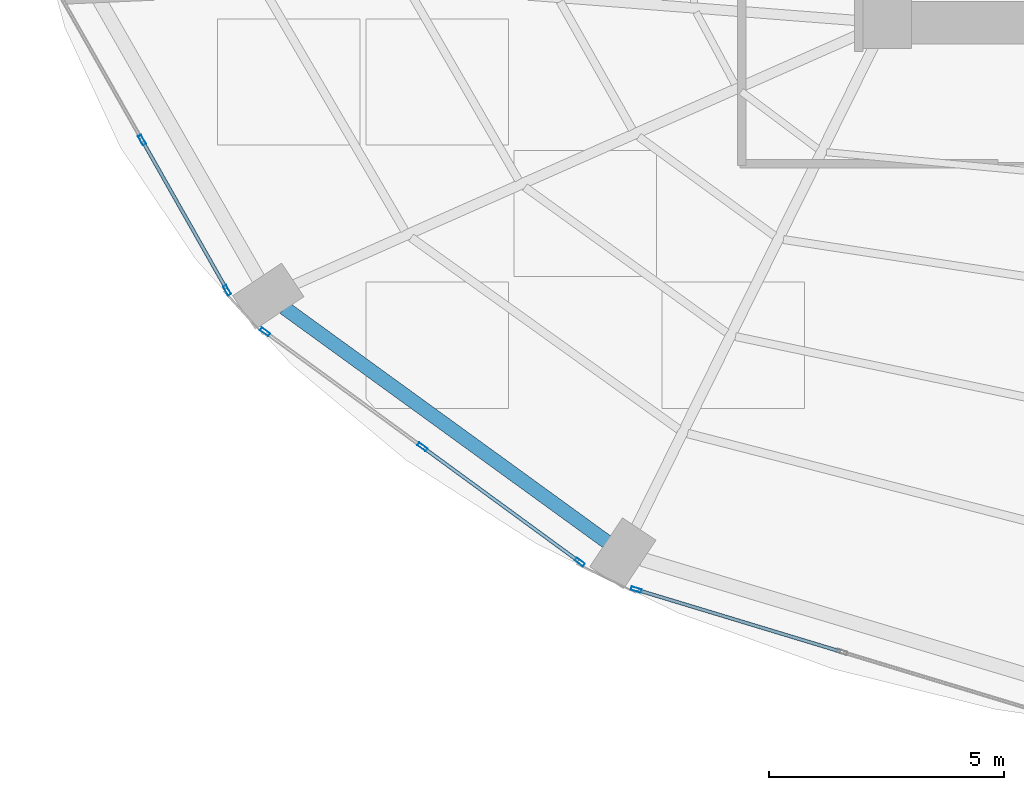
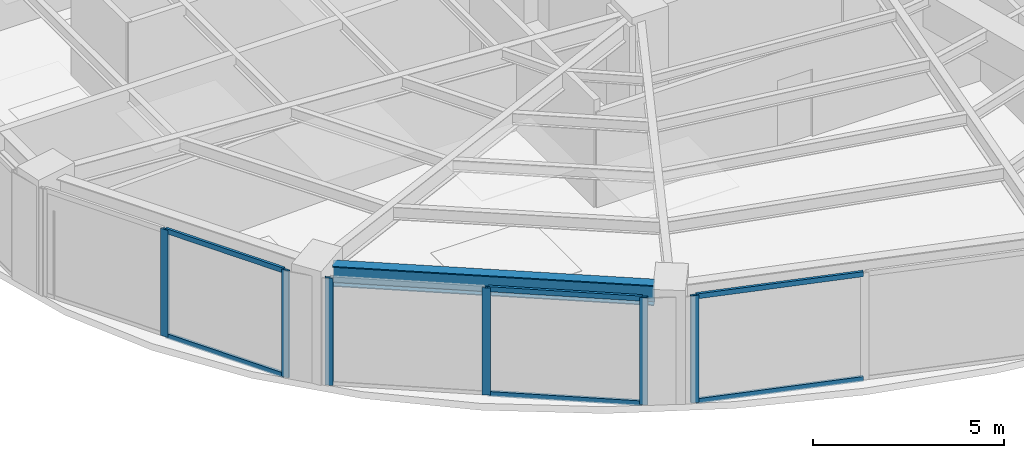
# One storey, part 2 of 25: 12 members, 1 beam, 3 elements without a shape of their own.
"""IFC4 building model written with IfcOpenShell, lengths in metres."""

from ifc_helpers import new_model, si_unit, direction, frame, origin, origin_2d, place, context, subcontext, project, spatial, hollow_rectangle, i_section, extrude, material, layer, layer_set, material_profile, profile_set, type_object, element, aggregate, save


model = new_model("IFC4")

# Units and contexts
model_context = context("Model", 3, precision=1e-05, world=origin(), true_north=direction((0.0, 1.0)))
body_context = subcontext(model_context, "Body", "Model", "MODEL_VIEW")
ifc_project = project(units=[si_unit("LENGTHUNIT", "METRE"), si_unit("AREAUNIT", "SQUARE_METRE"), si_unit("VOLUMEUNIT", "CUBIC_METRE"), si_unit("PLANEANGLEUNIT", "RADIAN"), si_unit("MASSUNIT", "GRAM", prefix="KILO")], contexts=[model_context])

# Site, building, storey
site_placement = place(None, origin())
site = spatial("IfcSite", under=ifc_project, at=site_placement, CompositionType="ELEMENT")
building_placement = place(site_placement, origin())
building = spatial("IfcBuilding", under=site, at=building_placement, Name="Lazwardi Medical Tower", CompositionType="ELEMENT")
storey_placement = place(building_placement, frame((0.0, 0.0, 43.43994140625)))
storey = spatial("IfcBuildingStorey", under=building, at=storey_placement, Name="L10", CompositionType="ELEMENT", Elevation=43.43994140625)

# Beam
ifc_material_1 = material(Name="Steel S355", Category="steel")
ifc_material_profile_1 = material_profile(ifc_material_1, i_section(OverallWidth=0.300048828125, OverallDepth=0.64990234375, WebThickness=0.01611328125, FlangeThickness=0.031005859375, at=origin_2d()), Name="HEB 650")
ifc_profile_set_1 = profile_set([ifc_material_profile_1], Name="Steel S355")
beam_type = type_object("IfcBeamType", Name="BM-RB-Z1", PredefinedType="BEAM", material=ifc_profile_set_1)
beam_placement = place(storey_placement, frame((13.6201171875, 14.339111328125, 3.10302734375), z_axis=(0.809407079515, -0.587247971159, 0.0), x_axis=(0.587247971159, 0.809407079515, 0.0)))
element("IfcBeam", 1, at=beam_placement, inside=storey, type_object=beam_type, Name="Ring beam RB-02 B14 L10", PredefinedType="BEAM", context=body_context, shape_type="SweptSolid", body=[
    extrude(i_section(OverallWidth=0.300048828125, OverallDepth=0.64990234375, WebThickness=0.01611328125, FlangeThickness=0.031005859375, at=origin_2d()), origin(), (0.0, 0.0, 1.0), 8.473876953125),
])

# Curtain wall, members
ifc_material_2 = material(Name="Anodised bronze aluminium and solar control glazing", Category="aluminium")
ifc_layer = layer(ifc_material_2, 0.199951171875)
ifc_layer_set = layer_set([ifc_layer], Name="Anodised bronze aluminium and solar control glazing")
curtain_wall_type = type_object("IfcCurtainWallType", Name="CW-SYS-02", PredefinedType="NOTDEFINED", material=ifc_layer_set)
curtain_wall_1_placement = place(storey_placement, origin())
curtain_wall_1 = element("IfcCurtainWall", 2, at=curtain_wall_1_placement, inside=storey, type_object=curtain_wall_type, Name="L10 Unitised bronze curtain wall CW-02", PredefinedType="NOTDEFINED")
ifc_material_3 = material(Name="Anodised bronze aluminium", Category="aluminium")
ifc_material_profile_2 = material_profile(ifc_material_3, hollow_rectangle(XDim=0.074951171875, YDim=0.219970703125, WallThickness=0.00390625, at=origin_2d()), Name="ALU-MULLION 220x75x4")
ifc_profile_set_2 = profile_set([ifc_material_profile_2], Name="Anodised bronze aluminium")
member_type_1 = type_object("IfcMemberType", Name="CW-MUL-01", PredefinedType="MULLION", material=ifc_profile_set_2)
member_1_placement = place(storey_placement, frame((10.5947265625, 17.904541015625, 0.0), z_axis=(0.0, 0.0, 1.0), x_axis=(0.870111838823, 0.492854327303, 0.0)))
member_1 = element("IfcMember", 3, at=member_1_placement, type_object=member_type_1, Name="CW-02 mullion 2", PredefinedType="MULLION", context=body_context, shape_type="SweptSolid", body=[
    extrude(hollow_rectangle(XDim=0.074951171875, YDim=0.219970703125, WallThickness=0.00390625, at=origin_2d()), origin(), (0.0, 0.0, 1.0), 3.427978515625),
])
member_2_placement = place(storey_placement, frame((12.4033203125, 14.71142578125, 0.0), z_axis=(0.0, 0.0, 1.0), x_axis=(0.870111838823, 0.492854327303, 0.0)))
member_2 = element("IfcMember", 4, at=member_2_placement, type_object=member_type_1, Name="CW-02 mullion 3", PredefinedType="MULLION", context=body_context, shape_type="SweptSolid", body=[
    extrude(hollow_rectangle(XDim=0.074951171875, YDim=0.219970703125, WallThickness=0.00390625, at=origin_2d()), origin(), (0.0, 0.0, 1.0), 3.427978515625),
])

curtain_wall_2_placement = place(storey_placement, origin())
curtain_wall_2 = element("IfcCurtainWall", 5, at=curtain_wall_2_placement, inside=storey, type_object=curtain_wall_type, Name="L10 Unitised bronze curtain wall CW-02", PredefinedType="NOTDEFINED")
member_3_placement = place(storey_placement, frame((13.209716796875, 13.827392578125, 0.0), z_axis=(0.0, 0.0, 1.0), x_axis=(0.590289307341, 0.807191757663, 0.0)))
member_3 = element("IfcMember", 6, at=member_3_placement, type_object=member_type_1, Name="CW-02 mullion 1", PredefinedType="MULLION", context=body_context, shape_type="SweptSolid", body=[
    extrude(hollow_rectangle(XDim=0.074951171875, YDim=0.219970703125, WallThickness=0.00390625, at=origin_2d()), origin(), (0.0, 0.0, 1.0), 3.427978515625),
])
member_4_placement = place(storey_placement, frame((16.5556640625, 11.380615234375, 0.0), z_axis=(0.0, 0.0, 1.0), x_axis=(0.590289307341, 0.807191757663, 0.0)))
member_4 = element("IfcMember", 7, at=member_4_placement, type_object=member_type_1, Name="CW-02 mullion 2", PredefinedType="MULLION", context=body_context, shape_type="SweptSolid", body=[
    extrude(hollow_rectangle(XDim=0.074951171875, YDim=0.219970703125, WallThickness=0.00390625, at=origin_2d()), origin(), (0.0, 0.0, 1.0), 3.427978515625),
])
member_5_placement = place(storey_placement, frame((19.9013671875, 8.933837890625, 0.0), z_axis=(0.0, 0.0, 1.0), x_axis=(0.590289307341, 0.807191757663, 0.0)))
member_5 = element("IfcMember", 8, at=member_5_placement, type_object=member_type_1, Name="CW-02 mullion 3", PredefinedType="MULLION", context=body_context, shape_type="SweptSolid", body=[
    extrude(hollow_rectangle(XDim=0.074951171875, YDim=0.219970703125, WallThickness=0.00390625, at=origin_2d()), origin(), (0.0, 0.0, 1.0), 3.427978515625),
])

# Curtain wall, member
curtain_wall_3_placement = place(storey_placement, origin())
curtain_wall_3 = element("IfcCurtainWall", 9, at=curtain_wall_3_placement, inside=storey, type_object=curtain_wall_type, Name="L10 Unitised bronze curtain wall CW-02", PredefinedType="NOTDEFINED")
member_6_placement = place(storey_placement, frame((21.1015625, 8.346923828125, 0.0), z_axis=(0.0, 0.0, 1.0), x_axis=(0.2898956909, 0.957058247129, 0.0)))
member_6 = element("IfcMember", 10, at=member_6_placement, type_object=member_type_1, Name="CW-02 mullion 1", PredefinedType="MULLION", context=body_context, shape_type="SweptSolid", body=[
    extrude(hollow_rectangle(XDim=0.074951171875, YDim=0.219970703125, WallThickness=0.00390625, at=origin_2d()), origin(), (0.0, 0.0, 1.0), 3.427978515625),
])

# Member
ifc_material_profile_3 = material_profile(ifc_material_3, hollow_rectangle(XDim=0.074951171875, YDim=0.159912109375, WallThickness=0.00390625, at=origin_2d()), Name="ALU-TRANSOM 160x75x4")
ifc_profile_set_3 = profile_set([ifc_material_profile_3], Name="Anodised bronze aluminium")
member_type_2 = type_object("IfcMemberType", Name="CW-TRN-01", PredefinedType="USERDEFINED", material=ifc_profile_set_3)
member_7_placement = place(storey_placement, frame((10.613037109375, 17.871826171875, 0.03759765625), z_axis=(0.492880614687, -0.870096948429, 0.0), x_axis=(0.870096948429, 0.492880614687, 0.0)))
member_7 = element("IfcMember", 11, at=member_7_placement, type_object=member_type_2, Name="CW-02 transom 2.1", ObjectType="TRANSOM", PredefinedType="USERDEFINED", context=body_context, shape_type="SweptSolid", body=[
    extrude(hollow_rectangle(XDim=0.074951171875, YDim=0.159912109375, WallThickness=0.00390625, at=origin_2d()), origin(), (0.0, 0.0, 1.0), 3.5947265625),
])

member_8_placement = place(storey_placement, frame((10.613037109375, 17.871826171875, 3.390625), z_axis=(0.492880614687, -0.870096948429, 0.0), x_axis=(0.870096948429, 0.492880614687, 0.0)))
member_8 = element("IfcMember", 12, at=member_8_placement, type_object=member_type_2, Name="CW-02 transom 2.2", ObjectType="TRANSOM", PredefinedType="USERDEFINED", context=body_context, shape_type="SweptSolid", body=[
    extrude(hollow_rectangle(XDim=0.074951171875, YDim=0.159912109375, WallThickness=0.00390625, at=origin_2d()), origin(), (0.0, 0.0, 1.0), 3.5947265625),
])

aggregate(curtain_wall_1, [member_1, member_2, member_7, member_8])

member_9_placement = place(storey_placement, frame((16.5859375, 11.358642578125, 0.03759765625), z_axis=(0.807169053975, -0.590320352271, 0.0), x_axis=(0.590320352271, 0.807169053975, 0.0)))
member_9 = element("IfcMember", 13, at=member_9_placement, type_object=member_type_2, Name="CW-02 transom 2.1", ObjectType="TRANSOM", PredefinedType="USERDEFINED", context=body_context, shape_type="SweptSolid", body=[
    extrude(hollow_rectangle(XDim=0.074951171875, YDim=0.159912109375, WallThickness=0.00390625, at=origin_2d()), origin(), (0.0, 0.0, 1.0), 4.070068359375),
])

member_10_placement = place(storey_placement, frame((16.5859375, 11.358642578125, 3.390625), z_axis=(0.807169053975, -0.590320352271, 0.0), x_axis=(0.590320352271, 0.807169053975, 0.0)))
member_10 = element("IfcMember", 14, at=member_10_placement, type_object=member_type_2, Name="CW-02 transom 2.2", ObjectType="TRANSOM", PredefinedType="USERDEFINED", context=body_context, shape_type="SweptSolid", body=[
    extrude(hollow_rectangle(XDim=0.074951171875, YDim=0.159912109375, WallThickness=0.00390625, at=origin_2d()), origin(), (0.0, 0.0, 1.0), 4.070068359375),
])

aggregate(curtain_wall_2, [member_3, member_4, member_5, member_9, member_10])

member_11_placement = place(storey_placement, frame((21.137451171875, 8.3359375, 0.03759765625), z_axis=(0.957062297904, -0.289882317383, 0.0), x_axis=(0.289882317383, 0.957062297904, 0.0)))
member_11 = element("IfcMember", 15, at=member_11_placement, type_object=member_type_2, Name="CW-02 transom 1.1", ObjectType="TRANSOM", PredefinedType="USERDEFINED", context=body_context, shape_type="SweptSolid", body=[
    extrude(hollow_rectangle(XDim=0.074951171875, YDim=0.159912109375, WallThickness=0.00390625, at=origin_2d()), origin(), (0.0, 0.0, 1.0), 4.49658203125),
])

member_12_placement = place(storey_placement, frame((21.137451171875, 8.3359375, 3.390625), z_axis=(0.957062297904, -0.289882317383, 0.0), x_axis=(0.289882317383, 0.957062297904, 0.0)))
member_12 = element("IfcMember", 16, at=member_12_placement, type_object=member_type_2, Name="CW-02 transom 1.2", ObjectType="TRANSOM", PredefinedType="USERDEFINED", context=body_context, shape_type="SweptSolid", body=[
    extrude(hollow_rectangle(XDim=0.074951171875, YDim=0.159912109375, WallThickness=0.00390625, at=origin_2d()), origin(), (0.0, 0.0, 1.0), 4.49658203125),
])

aggregate(curtain_wall_3, [member_6, member_11, member_12])

save(model, "model.ifc")
